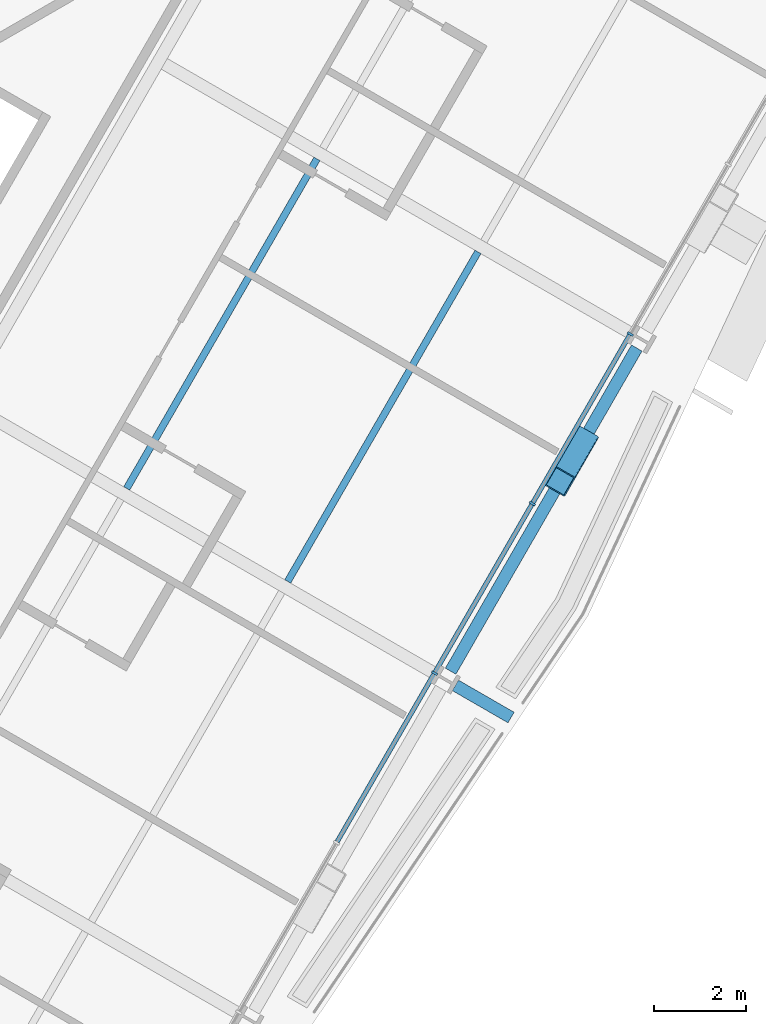
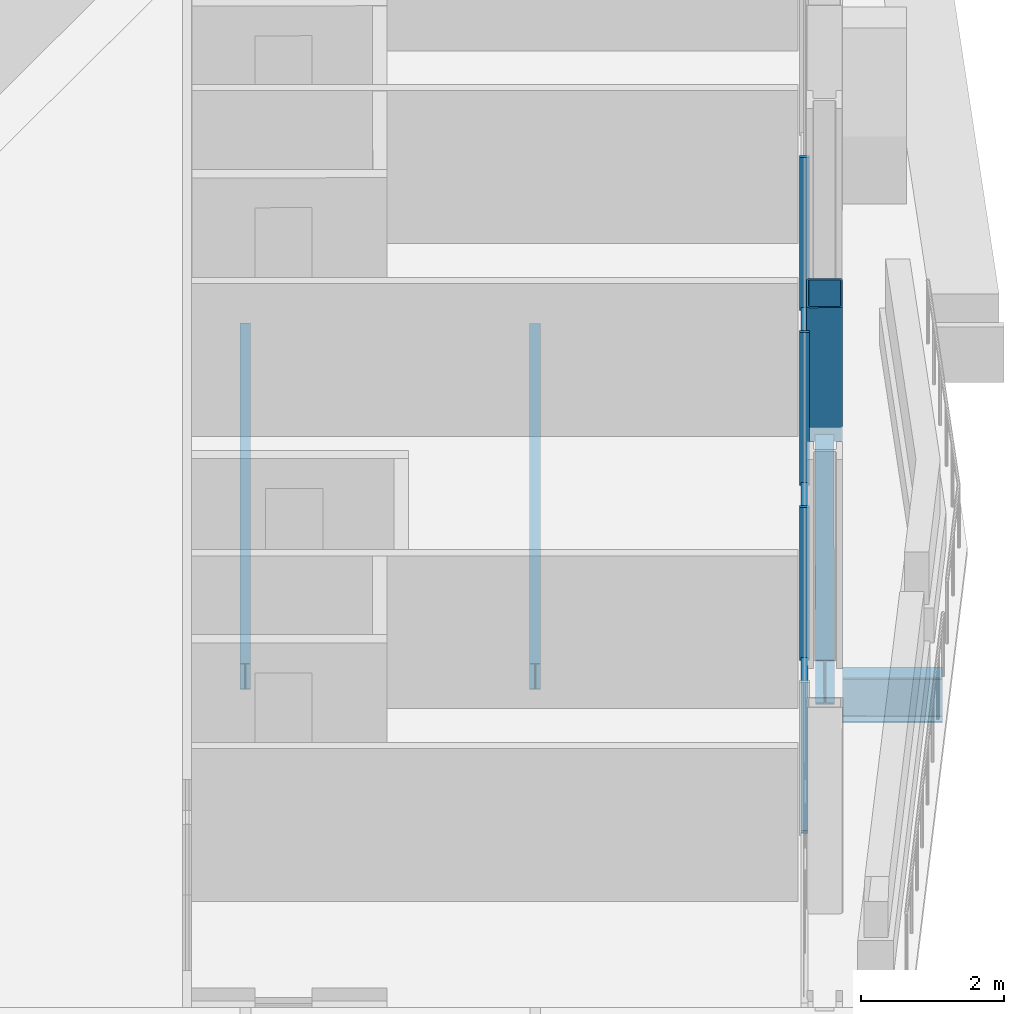
# One storey, part 6 of 20: 7 members, 4 beams, 1 element without a shape of its own.
"""IFC4 building model written with IfcOpenShell, lengths in metres."""

from ifc_helpers import new_model, si_unit, direction, frame, origin, origin_2d, place, context, subcontext, project, spatial, rectangle, hollow_rectangle, i_section, extrude, material, material_profile, profile_set, type_object, element, aggregate, save


model = new_model("IFC4")

# Units and contexts
model_context = context("Model", 3, precision=1e-05, world=origin(), true_north=direction((0.0, 1.0)))
body_context = subcontext(model_context, "Body", "Model", "MODEL_VIEW")
ifc_project = project(units=[si_unit("LENGTHUNIT", "METRE"), si_unit("AREAUNIT", "SQUARE_METRE"), si_unit("VOLUMEUNIT", "CUBIC_METRE"), si_unit("PLANEANGLEUNIT", "RADIAN"), si_unit("MASSUNIT", "GRAM", prefix="KILO")], contexts=[model_context])

# Site, building, storey
site_placement = place(None, origin())
site = spatial("IfcSite", under=ifc_project, at=site_placement, CompositionType="ELEMENT")
building_placement = place(site_placement, origin())
building = spatial("IfcBuilding", under=site, at=building_placement, Name="Verrane Prism Tower", CompositionType="ELEMENT")
storey_placement = place(building_placement, frame((0.0, 0.0, 69.199951171875)))
storey = spatial("IfcBuildingStorey", under=building, at=storey_placement, Name="L15", CompositionType="ELEMENT", Elevation=69.199951171875)

# Member
ifc_material_1 = material(Name="Steel A1085 Grade A", Category="steel")
ifc_material_profile_1 = material_profile(ifc_material_1, hollow_rectangle(XDim=0.508056640625, YDim=0.508056640625, WallThickness=0.025390625, InnerFilletRadius=0.0126953125, OuterFilletRadius=0.0380859375, at=origin_2d()), Name="HSS20x20x1")
ifc_profile_set_1 = profile_set([ifc_material_profile_1], Name="Steel A1085 Grade A")
member_type_1 = type_object("IfcMemberType", Name="Facade brace HSS20x20x1", PredefinedType="BRACE", material=ifc_profile_set_1)
member_1_placement = place(storey_placement, frame((21.516845703125, -5.47021484375, -0.242431640625), z_axis=(-0.160744868274, -0.279075220636, 0.946719656789), x_axis=(0.866534908111, -0.499116472403, 0.0)))
element("IfcMember", 1, at=member_1_placement, inside=storey, type_object=member_type_1, Name="Facade brace SE3 L15", PredefinedType="BRACE", context=body_context, shape_type="SweptSolid", body=[
    extrude(hollow_rectangle(XDim=0.508056640625, YDim=0.508056640625, WallThickness=0.025390625, InnerFilletRadius=0.0126953125, OuterFilletRadius=0.0380859375, at=origin_2d()), origin(), (0.0, 0.0, 1.0), 3.17724609375),
])

# Beams
ifc_material_2 = material(Name="Steel A992", Category="steel")
ifc_material_profile_2 = material_profile(ifc_material_2, i_section(OverallWidth=0.15234375, OverallDepth=0.449462890625, WebThickness=0.007568359375, FlangeThickness=0.0107421875, FilletRadius=0.01025390625, at=origin_2d()), Name="W18x35")
ifc_profile_set_2 = profile_set([ifc_material_profile_2], Name="Steel A992")
beam_type_1 = type_object("IfcBeamType", Name="Floor beam W18x35", PredefinedType="BEAM", material=ifc_profile_set_2)
beam_1_placement = place(storey_placement, frame((15.06103515625, -8.54296875, -0.384765625), z_axis=(0.500001430823, 0.866024577697, 0.0), x_axis=(-0.866024577697, 0.500001430823, 0.0)))
element("IfcBeam", 2, at=beam_1_placement, inside=storey, type_object=beam_type_1, Name="Floor beam L15", PredefinedType="BEAM", context=body_context, shape_type="SweptSolid", body=[
    extrude(i_section(OverallWidth=0.15234375, OverallDepth=0.449462890625, WebThickness=0.007568359375, FlangeThickness=0.0107421875, FilletRadius=0.01025390625, at=origin_2d()), origin(), (0.0, 0.0, 1.0), 8.3076171875),
])
beam_2_placement = place(storey_placement, frame((11.545166015625, -6.51171875, -0.384765625), z_axis=(0.499988705844, 0.86603192437, 0.0), x_axis=(-0.86603192437, 0.499988705844, 0.0)))
element("IfcBeam", 3, at=beam_2_placement, inside=storey, type_object=beam_type_1, Name="Floor beam L15", PredefinedType="BEAM", context=body_context, shape_type="SweptSolid", body=[
    extrude(i_section(OverallWidth=0.15234375, OverallDepth=0.449462890625, WebThickness=0.007568359375, FlangeThickness=0.0107421875, FilletRadius=0.01025390625, at=origin_2d()), origin(), (0.0, 0.0, 1.0), 8.307861328125),
])

# Curtain wall, members
ifc_material_3 = material(Name="Aluminium framed insulated glazing", Category="aluminium")
curtain_wall_type = type_object("IfcCurtainWallType", Name="Curtain wall CW-C 4200 module", PredefinedType="NOTDEFINED", material=ifc_material_3)
curtain_wall_placement = place(storey_placement, origin())
curtain_wall = element("IfcCurtainWall", 4, at=curtain_wall_placement, inside=storey, type_object=curtain_wall_type, Name="Glazed curtain wall south-east face L15", PredefinedType="NOTDEFINED")
ifc_material_4 = material(Name="Aluminium alloy 6063-T6", Category="aluminium")
ifc_material_profile_3 = material_profile(ifc_material_4, rectangle(XDim=0.139892578125, YDim=0.050048828125, at=origin_2d()), Name="Mullion 50x140 aluminium")
ifc_profile_set_3 = profile_set([ifc_material_profile_3], Name="Aluminium alloy 6063-T6")
member_type_2 = type_object("IfcMemberType", Name="Mullion 50x140 aluminium", PredefinedType="MULLION", material=ifc_profile_set_3)
member_2_placement = place(storey_placement, frame((18.265380859375, -10.54541015625, 0.0), z_axis=(0.0, 0.0, 1.0), x_axis=(-0.866025283147, 0.50000020895, 0.0)))
member_2 = element("IfcMember", 5, at=member_2_placement, type_object=member_type_2, Name="CW14.6 mullion 7", PredefinedType="MULLION", context=body_context, shape_type="SweptSolid", body=[
    extrude(rectangle(XDim=0.139892578125, YDim=0.050048828125, at=origin_2d()), origin(), (0.0, 0.0, 1.0), 2.613037109375),
])
member_3_placement = place(storey_placement, frame((20.402587890625, -6.843505859375, 0.0), z_axis=(0.0, 0.0, 1.0), x_axis=(-0.866025283147, 0.50000020895, 0.0)))
member_3 = element("IfcMember", 6, at=member_3_placement, type_object=member_type_2, Name="CW14.6 mullion 8", PredefinedType="MULLION", context=body_context, shape_type="SweptSolid", body=[
    extrude(rectangle(XDim=0.139892578125, YDim=0.050048828125, at=origin_2d()), origin(), (0.0, 0.0, 1.0), 2.613037109375),
])
member_4_placement = place(storey_placement, frame((22.5400390625, -3.141357421875, 0.0), z_axis=(0.0, 0.0, 1.0), x_axis=(-0.866025283147, 0.50000020895, 0.0)))
member_4 = element("IfcMember", 7, at=member_4_placement, type_object=member_type_2, Name="CW14.6 mullion 9", PredefinedType="MULLION", context=body_context, shape_type="SweptSolid", body=[
    extrude(rectangle(XDim=0.139892578125, YDim=0.050048828125, at=origin_2d()), origin(), (0.0, 0.0, 1.0), 2.613037109375),
])

# Beams
ifc_material_5 = material(Name="Steel A992", Category="steel")
ifc_material_profile_4 = material_profile(ifc_material_5, i_section(OverallWidth=0.2666015625, OverallDepth=0.76708984375, WebThickness=0.014892578125, FlangeThickness=0.023681640625, FilletRadius=0.0166015625, at=origin_2d()), Name="W30x124")
ifc_profile_set_4 = profile_set([ifc_material_profile_4], Name="Steel A992")
beam_type_2 = type_object("IfcBeamType", Name="Radial girder W30x124", PredefinedType="BEAM", material=ifc_profile_set_4)
beam_3_placement = place(storey_placement, frame((18.72216796875, -10.8125, -0.603515625), z_axis=(0.865953808824, -0.500123985611, 0.0), x_axis=(0.500123985611, 0.865953808824, 0.0)))
element("IfcBeam", 8, at=beam_3_placement, inside=storey, type_object=beam_type_2, Name="Cantilever girder L15", PredefinedType="BEAM", context=body_context, shape_type="SweptSolid", body=[
    extrude(i_section(OverallWidth=0.2666015625, OverallDepth=0.76708984375, WebThickness=0.014892578125, FlangeThickness=0.023681640625, FilletRadius=0.0166015625, at=origin_2d()), origin(), (0.0, 0.0, 1.0), 1.403564453125),
])
ifc_material_6 = material(Name="Steel A992", Category="steel")
ifc_material_profile_5 = material_profile(ifc_material_6, i_section(OverallWidth=0.2666015625, OverallDepth=0.7568359375, WebThickness=0.013916015625, FlangeThickness=0.019287109375, FilletRadius=0.0166015625, at=origin_2d()), Name="W30x108")
ifc_profile_set_5 = profile_set([ifc_material_profile_5], Name="Steel A992")
beam_type_3 = type_object("IfcBeamType", Name="Spandrel beam W30x108", PredefinedType="SPANDREL", material=ifc_profile_set_5)
beam_4_placement = place(storey_placement, frame((18.617919921875, -10.5029296875, -0.538330078125), z_axis=(0.499122745432, 0.866531294872, 0.0), x_axis=(-0.866531294872, 0.499122745432, 0.0)))
element("IfcBeam", 9, at=beam_4_placement, inside=storey, type_object=beam_type_3, Name="Spandrel beam L15", PredefinedType="SPANDREL", context=body_context, shape_type="SweptSolid", body=[
    extrude(i_section(OverallWidth=0.2666015625, OverallDepth=0.7568359375, WebThickness=0.013916015625, FlangeThickness=0.019287109375, FilletRadius=0.0166015625, at=origin_2d()), origin(), (0.0, 0.0, 1.0), 8.142822265625),
])

# Member
ifc_material_7 = material(Name="Aluminium alloy 6063-T6", Category="aluminium")
ifc_material_profile_6 = material_profile(ifc_material_7, rectangle(XDim=0.10009765625, YDim=0.050048828125, at=origin_2d()), Name="Transom 50x100 aluminium")
ifc_profile_set_6 = profile_set([ifc_material_profile_6], Name="Aluminium alloy 6063-T6")
member_type_3 = type_object("IfcMemberType", Name="Transom 50x100 aluminium", PredefinedType="USERDEFINED", material=ifc_profile_set_6)
member_5_placement = place(storey_placement, frame((16.140380859375, -14.225830078125, 0.025146484375), z_axis=(0.499992582699, 0.866029686123, 0.0), x_axis=(-0.866029686123, 0.499992582699, 0.0)))
member_5 = element("IfcMember", 10, at=member_5_placement, type_object=member_type_3, Name="CW14.6 transom 6", ObjectType="TRANSOM", PredefinedType="USERDEFINED", context=body_context, shape_type="SweptSolid", body=[
    extrude(rectangle(XDim=0.10009765625, YDim=0.050048828125, at=origin_2d()), origin(), (0.0, 0.0, 1.0), 4.224609375),
])

member_6_placement = place(storey_placement, frame((18.27783203125, -10.52392578125, 0.025146484375), z_axis=(0.499967560512, 0.866044131922, 0.0), x_axis=(-0.866044131922, 0.499967560512, 0.0)))
member_6 = element("IfcMember", 11, at=member_6_placement, type_object=member_type_3, Name="CW14.6 transom 7", ObjectType="TRANSOM", PredefinedType="USERDEFINED", context=body_context, shape_type="SweptSolid", body=[
    extrude(rectangle(XDim=0.10009765625, YDim=0.050048828125, at=origin_2d()), origin(), (0.0, 0.0, 1.0), 4.224853515625),
])

member_7_placement = place(storey_placement, frame((20.415283203125, -6.82177734375, 0.025146484375), z_axis=(0.499992582699, 0.866029686123, 0.0), x_axis=(-0.866029686123, 0.499992582699, 0.0)))
member_7 = element("IfcMember", 12, at=member_7_placement, type_object=member_type_3, Name="CW14.6 transom 8", ObjectType="TRANSOM", PredefinedType="USERDEFINED", context=body_context, shape_type="SweptSolid", body=[
    extrude(rectangle(XDim=0.10009765625, YDim=0.050048828125, at=origin_2d()), origin(), (0.0, 0.0, 1.0), 4.224609375),
])

aggregate(curtain_wall, [member_2, member_3, member_4, member_5, member_6, member_7])

save(model, "model.ifc")
